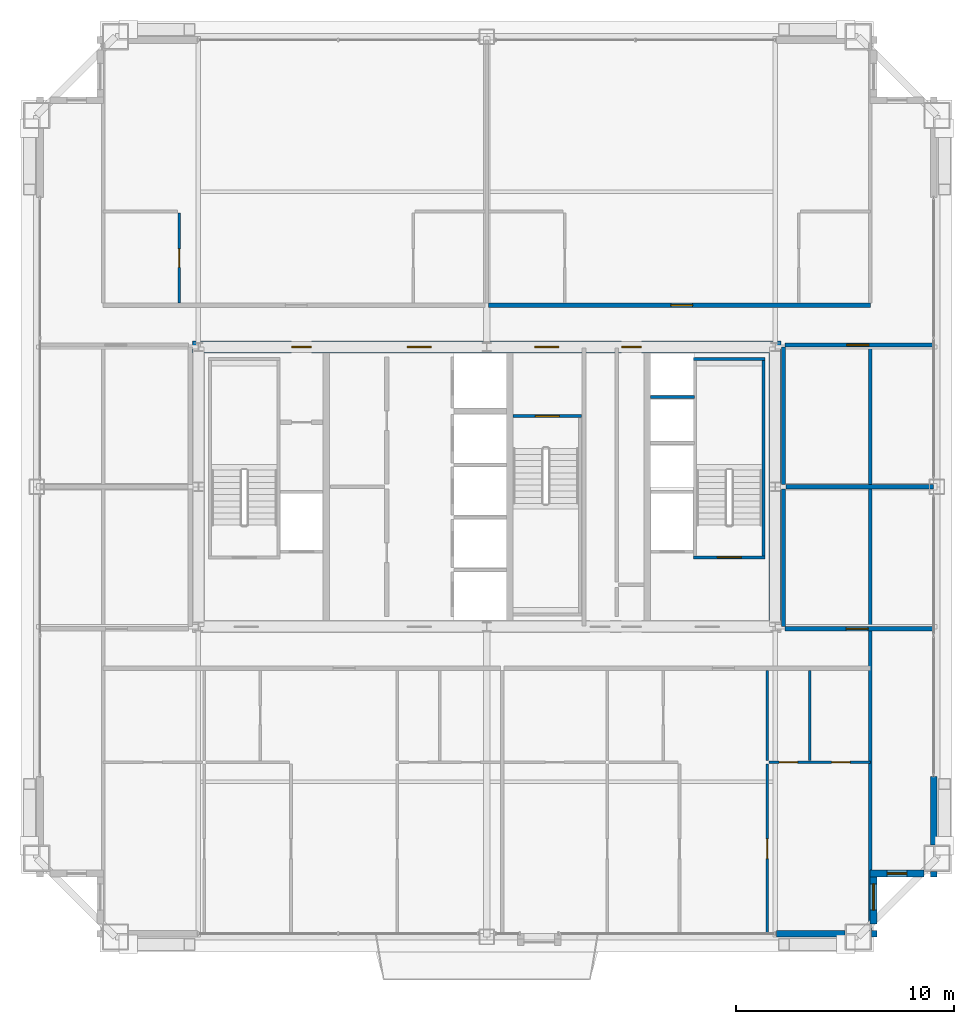
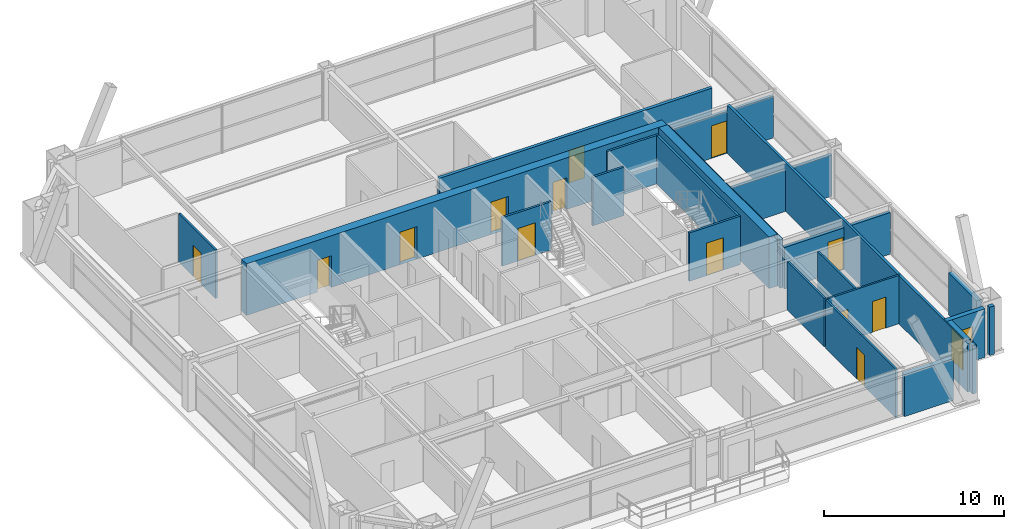
# One storey, part 33 of 35: 25 walls, 13 doors, 2 windows, 15 openings.
"""IFC4 building model written with IfcOpenShell, lengths in metres."""

from ifc_helpers import new_model, si_unit, direction, frame, frame_2d, origin, place, context, subcontext, project, spatial, rectangle, extrude, source, transform, mapped, material, layer, layer_set, type_object, element, fill, save


model = new_model("IFC4")

# Units and contexts
model_context = context("Model", 3, precision=1e-05, world=origin(), true_north=direction((0.0, 1.0)))
body_context = subcontext(model_context, "Body", "Model", "MODEL_VIEW")
ifc_project = project(units=[si_unit("LENGTHUNIT", "METRE"), si_unit("AREAUNIT", "SQUARE_METRE"), si_unit("VOLUMEUNIT", "CUBIC_METRE"), si_unit("PLANEANGLEUNIT", "RADIAN"), si_unit("MASSUNIT", "GRAM", prefix="KILO"), si_unit("THERMODYNAMICTEMPERATUREUNIT", "KELVIN"), si_unit("POWERUNIT", "WATT")], contexts=[model_context])

# Site, building, storey
site_placement = place(None, origin())
site = spatial("IfcSite", under=ifc_project, at=site_placement, CompositionType="ELEMENT")
building_placement = place(site_placement, origin())
building = spatial("IfcBuilding", under=site, at=building_placement, Name="Yuzanri Waterfront Tower", CompositionType="ELEMENT")
storey_placement = place(building_placement, frame((0.0, 0.0, 227.60009765625)))
storey = spatial("IfcBuildingStorey", under=building, at=storey_placement, Name="L60", CompositionType="ELEMENT", Elevation=227.60009765625)

# Wall, openings, doors
ifc_material_1 = material(Name="Moisture-Resistant Gypsum Stud Wall", Category="gypsum")
ifc_layer_1 = layer(ifc_material_1, 0.1201171875)
ifc_layer_set_1 = layer_set([ifc_layer_1], Name="Moisture-Resistant Gypsum Stud Wall")
wall_type_1 = type_object("IfcWallType", Name="Bathroom and Kitchen Wet Partition 120", PredefinedType="PARTITIONING", material=ifc_layer_set_1)
wall_1_placement = place(storey_placement, frame((49.9130859375, 13.199951171875, 0.0), z_axis=(0.0, 0.0, 1.0), x_axis=(1.0, 0.0, 0.0)))
wall_1 = element("IfcWall", 1, at=wall_1_placement, inside=storey, type_object=wall_type_1, Name="L60 Partition UW-L60-RS2-SUB-6-N", PredefinedType="PARTITIONING", context=body_context, shape_type="SweptSolid", body=[
    extrude(rectangle(XDim=4.64697265625, YDim=0.1201171875, at=frame_2d((2.323486328125, 0.0))), origin(), (0.0, 0.0, 1.0), 3.27978515625),
])
opening_1_placement = place(wall_1_placement, frame((2.8720703125, 0.0, 0.0)))
opening_1 = element("IfcOpeningElement", 2, at=opening_1_placement, cuts=wall_1, Name="Opening ID-0850", PredefinedType="OPENING", context=body_context, shape_type="SweptSolid", body=[
    extrude(rectangle(XDim=0.85009765625, YDim=2.10009765625, at=frame_2d((0.425048828125, 1.050048828125))), frame((0.0, 0.074951171875, 0.0), z_axis=(0.0, -1.0, 0.0), x_axis=(1.0, 0.0, 0.0)), (0.0, 0.0, 1.0), 0.14990234375),
])
opening_2_placement = place(wall_1_placement, frame((0.468505859375, 0.0, 0.0)))
opening_2 = element("IfcOpeningElement", 3, at=opening_2_placement, cuts=wall_1, Name="Opening ID-0850", PredefinedType="OPENING", context=body_context, shape_type="SweptSolid", body=[
    extrude(rectangle(XDim=0.85009765625, YDim=2.10009765625, at=frame_2d((0.425048828125, 1.050048828125))), frame((0.0, 0.074951171875, 0.0), z_axis=(0.0, -1.0, 0.0), x_axis=(1.0, 0.0, 0.0)), (0.0, 0.0, 1.0), 0.14990234375),
])
ifc_material_2 = material(Name="Moisture-Resistant Lacquered Timber", Category="wood")
door_type_1 = type_object("IfcDoorType", Name="En-Suite Bathroom and Kitchen Swing Door 850x2100", OperationType="NOTDEFINED", PredefinedType="DOOR", material=ifc_material_2)
shared_shape_1 = source(origin(), body_context, "Body", "SweptSolid", [
    extrude(rectangle(XDim=0.85009765625, YDim=2.10009765625, at=frame_2d((0.425048828125, 1.050048828125))), frame((0.0, 0.02490234375, 0.0), z_axis=(0.0, -1.0, 0.0), x_axis=(1.0, 0.0, 0.0)), (0.0, 0.0, 1.0), 0.050048828125),
])
door_1_placement = place(opening_1_placement, origin())
door_1 = element("IfcDoor", 4, at=door_1_placement, inside=storey, type_object=door_type_1, Name="L60 Suite Interior Room Door", OperationType="SINGLE_SWING_RIGHT", OverallHeight=2.10009765625, OverallWidth=0.85009765625, PredefinedType="DOOR", context=body_context, shape_type="MappedRepresentation", body=[
    mapped(shared_shape_1, transform((0.0, 0.0, 0.0), scale=1.0)),
])
fill(opening_1, door_1)
door_2_placement = place(opening_2_placement, origin())
door_2 = element("IfcDoor", 5, at=door_2_placement, inside=storey, type_object=door_type_1, Name="L60 Suite Interior Room Door", OperationType="SINGLE_SWING_LEFT", OverallHeight=2.10009765625, OverallWidth=0.85009765625, PredefinedType="DOOR", context=body_context, shape_type="MappedRepresentation", body=[
    mapped(shared_shape_1, transform((0.0, 0.0, 0.0), scale=1.0)),
])
fill(opening_2, door_2)

# Wall, opening, door
wall_2_placement = place(storey_placement, frame((49.8330078125, 5.35009765625, 0.0), z_axis=(0.0, 0.0, 1.0), x_axis=(0.0, 1.0, 0.0)))
wall_2 = element("IfcWall", 6, at=wall_2_placement, inside=storey, type_object=wall_type_1, Name="L60 Partition UW-L60-RS2-SUB-6-W", PredefinedType="PARTITIONING", context=body_context, shape_type="SweptSolid", body=[
    extrude(rectangle(XDim=7.77001953125, YDim=0.1201171875, at=frame_2d((3.885009765625, 0.0))), origin(), (0.0, 0.0, 1.0), 3.27978515625),
])
opening_3_placement = place(wall_2_placement, frame((3.43505859375, 0.0, 0.0)))
opening_3 = element("IfcOpeningElement", 7, at=opening_3_placement, cuts=wall_2, Name="Opening ID-0900", PredefinedType="OPENING", context=body_context, shape_type="SweptSolid", body=[
    extrude(rectangle(XDim=0.89990234375, YDim=2.14990234375, at=frame_2d((0.449951171875, 1.074951171875))), frame((0.0, 0.074951171875, 0.0), z_axis=(0.0, -1.0, 0.0), x_axis=(1.0, 0.0, 0.0)), (0.0, 0.0, 1.0), 0.14990234375),
])
ifc_material_3 = material(Name="Stained Walnut Veneer Timber", Category="wood")
door_type_2 = type_object("IfcDoorType", Name="Bedroom and Study Interior Swing Door 900x2150", OperationType="NOTDEFINED", PredefinedType="DOOR", material=ifc_material_3)
shared_shape_2 = source(origin(), body_context, "Body", "SweptSolid", [
    extrude(rectangle(XDim=0.89990234375, YDim=2.14990234375, at=frame_2d((0.449951171875, 1.074951171875))), frame((0.0, 0.02490234375, 0.0), z_axis=(0.0, -1.0, 0.0), x_axis=(1.0, 0.0, 0.0)), (0.0, 0.0, 1.0), 0.050048828125),
])
door_3_placement = place(opening_3_placement, origin())
door_3 = element("IfcDoor", 8, at=door_3_placement, inside=storey, type_object=door_type_2, Name="L60 Suite Interior Room Door", OperationType="SINGLE_SWING_LEFT", OverallHeight=2.14990234375, OverallWidth=0.89990234375, PredefinedType="DOOR", context=body_context, shape_type="MappedRepresentation", body=[
    mapped(shared_shape_2, transform((0.0, 0.0, 0.0), scale=1.0)),
])
fill(opening_3, door_3)

wall_3_placement = place(storey_placement, frame((22.919921875, 34.2099609375, 0.0), z_axis=(0.0, 0.0, 1.0), x_axis=(0.0, 1.0, 0.0)))
wall_3 = element("IfcWall", 9, at=wall_3_placement, inside=storey, type_object=wall_type_1, Name="L60 Partition UW-L60-RN1-SUB-1-E", PredefinedType="PARTITIONING", context=body_context, shape_type="SweptSolid", body=[
    extrude(rectangle(XDim=4.110107421875, YDim=0.1201171875, at=frame_2d((2.05517578125, 0.0))), origin(), (0.0, 0.0, 1.0), 3.27978515625),
])
opening_4_placement = place(wall_3_placement, frame((1.6298828125, 0.0, 0.0)))
opening_4 = element("IfcOpeningElement", 10, at=opening_4_placement, cuts=wall_3, Name="Opening ID-0850", PredefinedType="OPENING", context=body_context, shape_type="SweptSolid", body=[
    extrude(rectangle(XDim=0.85009765625, YDim=2.10009765625, at=frame_2d((0.425048828125, 1.050048828125))), frame((0.0, 0.074951171875, 0.0), z_axis=(0.0, -1.0, 0.0), x_axis=(1.0, 0.0, 0.0)), (0.0, 0.0, 1.0), 0.14990234375),
])
door_4_placement = place(opening_4_placement, origin())
door_4 = element("IfcDoor", 11, at=door_4_placement, inside=storey, type_object=door_type_1, Name="L60 Suite Interior Room Door", OperationType="SINGLE_SWING_RIGHT", OverallHeight=2.10009765625, OverallWidth=0.85009765625, PredefinedType="DOOR", context=body_context, shape_type="MappedRepresentation", body=[
    mapped(shared_shape_1, transform((0.0, 0.0, 0.0), scale=1.0)),
])
fill(opening_4, door_4)

# Wall, opening, window
ifc_material_4 = material(Name="Honed Chongqing Dark Basalt Stone", Category="masonry")
ifc_layer_2 = layer(ifc_material_4, 0.300048828125)
ifc_layer_set_2 = layer_set([ifc_layer_2], Name="Honed Chongqing Dark Basalt Stone")
wall_type_2 = type_object("IfcWallType", Name="Bronze Rainscreen Insulated Spandrel Portal Wall 300", PredefinedType="SOLIDWALL", material=ifc_layer_set_2)
wall_4_placement = place(storey_placement, frame((54.550048828125, 8.10009765625, 0.0), z_axis=(0.0, 0.0, 1.0), x_axis=(1.0, 0.0, 0.0)))
wall_4 = element("IfcWall", 12, at=wall_4_placement, inside=storey, type_object=wall_type_2, Name="L60 Notched Corner Masonry Wall SE-X", PredefinedType="SOLIDWALL", context=body_context, shape_type="SweptSolid", body=[
    extrude(rectangle(XDim=2.449951171875, YDim=0.300048828125, at=frame_2d((1.22509765625, 0.0))), origin(), (0.0, 0.0, 1.0), 3.27978515625),
])
opening_5_placement = place(wall_4_placement, frame((0.77490234375, 0.0, 0.85009765625)))
opening_5 = element("IfcOpeningElement", 13, at=opening_5_placement, cuts=wall_4, Name="Opening WN-05", PredefinedType="OPENING", context=body_context, shape_type="SweptSolid", body=[
    extrude(rectangle(XDim=0.89990234375, YDim=1.5, at=frame_2d((0.449951171875, 0.75))), frame((0.0, 0.1650390625, 0.0), z_axis=(0.0, -1.0, 0.0), x_axis=(1.0, 0.0, 0.0)), (0.0, 0.0, 1.0), 0.329833984375),
])
ifc_material_5 = material(Name="Double-Silver Low-E Insulated Glass", Category="glass")
window_type_1 = type_object("IfcWindowType", Name="Anodized Bronze Service and Stairwell Smoke-Vent Window 900x1500", PartitioningType="SINGLE_PANEL", PredefinedType="WINDOW", material=ifc_material_5)
shared_shape_3 = source(origin(), body_context, "Body", "SweptSolid", [
    extrude(rectangle(XDim=0.89990234375, YDim=1.5, at=frame_2d((0.449951171875, 0.75))), frame((0.0, 0.030029296875, 0.0), z_axis=(0.0, -1.0, 0.0), x_axis=(1.0, 0.0, 0.0)), (0.0, 0.0, 1.0), 0.06005859375),
])
window_1_placement = place(opening_5_placement, origin())
window_1 = element("IfcWindow", 14, at=window_1_placement, inside=storey, type_object=window_type_1, Name="L60 Notched Corner Window SE-X", OverallHeight=1.5, OverallWidth=0.89990234375, PartitioningType="SINGLE_PANEL", PredefinedType="WINDOW", context=body_context, shape_type="MappedRepresentation", body=[
    mapped(shared_shape_3, transform((0.0, 0.0, 0.0), scale=1.0)),
])
fill(opening_5, window_1)

wall_5_placement = place(storey_placement, frame((54.699951171875, 5.800048828125, 0.0), z_axis=(0.0, 0.0, 1.0), x_axis=(0.0, 1.0, 0.0)))
wall_5 = element("IfcWall", 15, at=wall_5_placement, inside=storey, type_object=wall_type_2, Name="L60 Notched Corner Masonry Wall SE-Y", PredefinedType="SOLIDWALL", context=body_context, shape_type="SweptSolid", body=[
    extrude(rectangle(XDim=2.449951171875, YDim=0.300048828125, at=frame_2d((1.22509765625, 0.0))), origin(), (0.0, 0.0, 1.0), 3.27978515625),
])
opening_6_placement = place(wall_5_placement, frame((0.625, 0.0, 0.85009765625)))
opening_6 = element("IfcOpeningElement", 16, at=opening_6_placement, cuts=wall_5, Name="Opening WN-02", PredefinedType="OPENING", context=body_context, shape_type="SweptSolid", body=[
    extrude(rectangle(XDim=1.199951171875, YDim=2.10009765625, at=frame_2d((0.60009765625, 1.050048828125))), frame((0.0, 0.1650390625, 0.0), z_axis=(0.0, -1.0, 0.0), x_axis=(1.0, 0.0, 0.0)), (0.0, 0.0, 1.0), 0.329833984375),
])
ifc_material_6 = material(Name="Double-Silver Low-E Insulated Glass", Category="glass")
window_type_2 = type_object("IfcWindowType", Name="Anodized Bronze Notched Corner Deep-Set Slot Window 1200x2100", PartitioningType="SINGLE_PANEL", PredefinedType="WINDOW", material=ifc_material_6)
shared_shape_4 = source(origin(), body_context, "Body", "SweptSolid", [
    extrude(rectangle(XDim=1.199951171875, YDim=2.10009765625, at=frame_2d((0.60009765625, 1.050048828125))), frame((0.0, 0.030029296875, 0.0), z_axis=(0.0, -1.0, 0.0), x_axis=(1.0, 0.0, 0.0)), (0.0, 0.0, 1.0), 0.06005859375),
])
window_2_placement = place(opening_6_placement, origin())
window_2 = element("IfcWindow", 17, at=window_2_placement, inside=storey, type_object=window_type_2, Name="L60 Notched Corner Window SE-Y", OverallHeight=2.10009765625, OverallWidth=1.199951171875, PartitioningType="SINGLE_PANEL", PredefinedType="WINDOW", context=body_context, shape_type="MappedRepresentation", body=[
    mapped(shared_shape_4, transform((0.0, 0.0, 0.0), scale=1.0)),
])
fill(opening_6, window_2)

# Wall, openings, doors
ifc_material_7 = material(Name="Concrete C50", Category="concrete")
ifc_layer_3 = layer(ifc_material_7, 0.550048828125)
ifc_layer_set_3 = layer_set([ifc_layer_3], Name="Concrete C50")
wall_type_3 = type_object("IfcWallType", Name="Concrete C50 Upper-Mid Zone Core Shear Wall 550", PredefinedType="SHEAR", material=ifc_layer_set_3)
wall_6_placement = place(storey_placement, frame((23.52490234375, 32.199951171875, 0.0), z_axis=(0.0, 0.0, 1.0), x_axis=(1.0, 0.0, 0.0)))
wall_6 = element("IfcWall", 18, at=wall_6_placement, inside=storey, type_object=wall_type_3, Name="L60 Core North Shear Wall", PredefinedType="SHEAR", context=body_context, shape_type="SweptSolid", body=[
    extrude(rectangle(XDim=26.9501953125, YDim=0.550048828125, at=frame_2d((13.47509765625, 0.0))), origin(), (0.0, 0.0, 1.0), 3.5),
])
opening_7_placement = place(wall_6_placement, frame((4.544921875, 0.0, 0.0)))
opening_7 = element("IfcOpeningElement", 19, at=opening_7_placement, cuts=wall_6, Name="Opening FD-0900", PredefinedType="OPENING", context=body_context, shape_type="SweptSolid", body=[
    extrude(rectangle(XDim=0.89990234375, YDim=2.14990234375, at=frame_2d((0.449951171875, 1.074951171875))), frame((0.0, 0.2900390625, 0.0), z_axis=(0.0, -1.0, 0.0), x_axis=(1.0, 0.0, 0.0)), (0.0, 0.0, 1.0), 0.579833984375),
])
opening_8_placement = place(wall_6_placement, frame((9.824951171875, 0.0, 0.0)))
opening_8 = element("IfcOpeningElement", 20, at=opening_8_placement, cuts=wall_6, Name="Opening FD-1100", PredefinedType="OPENING", context=body_context, shape_type="SweptSolid", body=[
    extrude(rectangle(XDim=1.10009765625, YDim=2.199951171875, at=frame_2d((0.550048828125, 1.10009765625))), frame((0.0, 0.2900390625, 0.0), z_axis=(0.0, -1.0, 0.0), x_axis=(1.0, 0.0, 0.0)), (0.0, 0.0, 1.0), 0.579833984375),
])
opening_9_placement = place(wall_6_placement, frame((15.675048828125, 0.0, 0.0)))
opening_9 = element("IfcOpeningElement", 21, at=opening_9_placement, cuts=wall_6, Name="Opening FD-1100", PredefinedType="OPENING", context=body_context, shape_type="SweptSolid", body=[
    extrude(rectangle(XDim=1.10009765625, YDim=2.199951171875, at=frame_2d((0.550048828125, 1.10009765625))), frame((0.0, 0.2900390625, 0.0), z_axis=(0.0, -1.0, 0.0), x_axis=(1.0, 0.0, 0.0)), (0.0, 0.0, 1.0), 0.579833984375),
])
opening_10_placement = place(wall_6_placement, frame((19.64501953125, 0.0, 0.0)))
opening_10 = element("IfcOpeningElement", 22, at=opening_10_placement, cuts=wall_6, Name="Opening FD-0900", PredefinedType="OPENING", context=body_context, shape_type="SweptSolid", body=[
    extrude(rectangle(XDim=0.89990234375, YDim=2.14990234375, at=frame_2d((0.449951171875, 1.074951171875))), frame((0.0, 0.2900390625, 0.0), z_axis=(0.0, -1.0, 0.0), x_axis=(1.0, 0.0, 0.0)), (0.0, 0.0, 1.0), 0.579833984375),
])
ifc_material_8 = material(Name="Painted Galvanized Fire Steel", Category="steel")
door_type_3 = type_object("IfcDoorType", Name="Smoke-Proof Stair and Lobby Fire Door 1100x2200", OperationType="NOTDEFINED", PredefinedType="DOOR", material=ifc_material_8)
shared_shape_5 = source(origin(), body_context, "Body", "SweptSolid", [
    extrude(rectangle(XDim=1.10009765625, YDim=2.199951171875, at=frame_2d((0.550048828125, 1.10009765625))), frame((0.0, 0.02490234375, 0.0), z_axis=(0.0, -1.0, 0.0), x_axis=(1.0, 0.0, 0.0)), (0.0, 0.0, 1.0), 0.050048828125),
])
door_5_placement = place(opening_8_placement, origin())
door_5 = element("IfcDoor", 23, at=door_5_placement, inside=storey, type_object=door_type_3, Name="L60 Central Lift Lobby North Door", OperationType="SINGLE_SWING_LEFT", OverallHeight=2.199951171875, OverallWidth=1.10009765625, PredefinedType="DOOR", context=body_context, shape_type="MappedRepresentation", body=[
    mapped(shared_shape_5, transform((0.0, 0.0, 0.0), scale=1.0)),
])
fill(opening_8, door_5)
door_6_placement = place(opening_9_placement, origin())
door_6 = element("IfcDoor", 24, at=door_6_placement, inside=storey, type_object=door_type_3, Name="L60 North Stair Lobby Door", OperationType="SINGLE_SWING_RIGHT", OverallHeight=2.199951171875, OverallWidth=1.10009765625, PredefinedType="DOOR", context=body_context, shape_type="MappedRepresentation", body=[
    mapped(shared_shape_5, transform((0.0, 0.0, 0.0), scale=1.0)),
])
fill(opening_9, door_6)
ifc_material_9 = material(Name="Painted Galvanized Fire Steel", Category="steel")
door_type_4 = type_object("IfcDoorType", Name="Riser and Service Room Fire Door 900x2150", OperationType="NOTDEFINED", PredefinedType="DOOR", material=ifc_material_9)
shared_shape_6 = source(origin(), body_context, "Body", "SweptSolid", [
    extrude(rectangle(XDim=0.89990234375, YDim=2.14990234375, at=frame_2d((0.449951171875, 1.074951171875))), frame((0.0, 0.02490234375, 0.0), z_axis=(0.0, -1.0, 0.0), x_axis=(1.0, 0.0, 0.0)), (0.0, 0.0, 1.0), 0.050048828125),
])
door_7_placement = place(opening_7_placement, origin())
door_7 = element("IfcDoor", 25, at=door_7_placement, inside=storey, type_object=door_type_4, Name="L60 Telecom Riser Door", OperationType="SINGLE_SWING_RIGHT", OverallHeight=2.14990234375, OverallWidth=0.89990234375, PredefinedType="DOOR", context=body_context, shape_type="MappedRepresentation", body=[
    mapped(shared_shape_6, transform((0.0, 0.0, 0.0), scale=1.0)),
])
fill(opening_7, door_7)
door_8_placement = place(opening_10_placement, origin())
door_8 = element("IfcDoor", 26, at=door_8_placement, inside=storey, type_object=door_type_4, Name="L60 Linen Store Room", OperationType="SINGLE_SWING_RIGHT", OverallHeight=2.14990234375, OverallWidth=0.89990234375, PredefinedType="DOOR", context=body_context, shape_type="MappedRepresentation", body=[
    mapped(shared_shape_6, transform((0.0, 0.0, 0.0), scale=1.0)),
])
fill(opening_10, door_8)

# Wall, opening, door
ifc_material_10 = material(Name="Concrete C40", Category="concrete")
ifc_layer_4 = layer(ifc_material_10, 0.139892578125)
ifc_layer_set_4 = layer_set([ifc_layer_4], Name="Concrete C40")
wall_type_4 = type_object("IfcWallType", Name="Core Stair Liner and Hoistway Shaft Wall 140", PredefinedType="SOLIDWALL", material=ifc_layer_set_4)
wall_7_placement = place(storey_placement, frame((46.4599609375, 22.570068359375, 0.0), z_axis=(0.0, 0.0, 1.0), x_axis=(1.0, 0.0, 0.0)))
wall_7 = element("IfcWall", 27, at=wall_7_placement, inside=storey, type_object=wall_type_4, Name="L60 Shaft Wall STW-L60-ST-02-S", PredefinedType="SOLIDWALL", context=body_context, shape_type="SweptSolid", body=[
    extrude(rectangle(XDim=3.280029296875, YDim=0.139892578125, at=frame_2d((1.64013671875, 0.0))), origin(), (0.0, 0.0, 1.0), 3.27978515625),
])
opening_11_placement = place(wall_7_placement, frame((1.090087890625, 0.0, 0.0)))
opening_11 = element("IfcOpeningElement", 28, at=opening_11_placement, cuts=wall_7, Name="Opening FD-1100", PredefinedType="OPENING", context=body_context, shape_type="SweptSolid", body=[
    extrude(rectangle(XDim=1.10009765625, YDim=2.199951171875, at=frame_2d((0.550048828125, 1.10009765625))), frame((0.0, 0.0849609375, 0.0), z_axis=(0.0, -1.0, 0.0), x_axis=(1.0, 0.0, 0.0)), (0.0, 0.0, 1.0), 0.169677734375),
])
door_9_placement = place(opening_11_placement, origin())
door_9 = element("IfcDoor", 29, at=door_9_placement, inside=storey, type_object=door_type_3, Name="L60 Stair ST-02 Fire Door", OperationType="SINGLE_SWING_LEFT", OverallHeight=2.199951171875, OverallWidth=1.10009765625, PredefinedType="DOOR", context=body_context, shape_type="MappedRepresentation", body=[
    mapped(shared_shape_5, transform((0.0, 0.0, 0.0), scale=1.0)),
])
fill(opening_11, door_9)

wall_8_placement = place(storey_placement, frame((38.199951171875, 29.030029296875, 0.0), z_axis=(0.0, 0.0, 1.0), x_axis=(1.0, 0.0, 0.0)))
wall_8 = element("IfcWall", 30, at=wall_8_placement, inside=storey, type_object=wall_type_4, Name="L60 Shaft Wall STW-L60-ST-03-N", PredefinedType="SOLIDWALL", context=body_context, shape_type="SweptSolid", body=[
    extrude(rectangle(XDim=3.14013671875, YDim=0.139892578125, at=frame_2d((1.570068359375, 0.0))), origin(), (0.0, 0.0, 1.0), 3.27978515625),
])
opening_12_placement = place(wall_8_placement, frame((1.02001953125, 0.0, 0.0)))
opening_12 = element("IfcOpeningElement", 31, at=opening_12_placement, cuts=wall_8, Name="Opening FD-1100", PredefinedType="OPENING", context=body_context, shape_type="SweptSolid", body=[
    extrude(rectangle(XDim=1.10009765625, YDim=2.199951171875, at=frame_2d((0.550048828125, 1.10009765625))), frame((0.0, 0.0849609375, 0.0), z_axis=(0.0, -1.0, 0.0), x_axis=(1.0, 0.0, 0.0)), (0.0, 0.0, 1.0), 0.169677734375),
])
door_10_placement = place(opening_12_placement, origin())
door_10 = element("IfcDoor", 32, at=door_10_placement, inside=storey, type_object=door_type_3, Name="L60 Stair ST-03 Fire Door", OperationType="SINGLE_SWING_RIGHT", OverallHeight=2.199951171875, OverallWidth=1.10009765625, PredefinedType="DOOR", context=body_context, shape_type="MappedRepresentation", body=[
    mapped(shared_shape_5, transform((0.0, 0.0, 0.0), scale=1.0)),
])
fill(opening_12, door_10)

ifc_material_11 = material(Name="Autoclaved Aerated Concrete Blockwork", Category="masonry")
ifc_layer_5 = layer(ifc_material_11, 0.199951171875)
ifc_layer_set_5 = layer_set([ifc_layer_5], Name="Autoclaved Aerated Concrete Blockwork")
wall_type_5 = type_object("IfcWallType", Name="Corridor and Unit Party Fire Wall 200", PredefinedType="PARTITIONING", material=ifc_layer_set_5)
wall_9_placement = place(storey_placement, frame((37.080078125, 34.110107421875, 0.0), z_axis=(0.0, 0.0, 1.0), x_axis=(1.0, 0.0, 0.0)))
wall_9 = element("IfcWall", 33, at=wall_9_placement, inside=storey, type_object=wall_type_5, Name="L60 Partition UW-L60-RN2-CS", PredefinedType="PARTITIONING", context=body_context, shape_type="SweptSolid", body=[
    extrude(rectangle(XDim=17.47998046875, YDim=0.199951171875, at=frame_2d((8.739990234375, 0.0))), origin(), (0.0, 0.0, 1.0), 3.27978515625),
])
opening_13_placement = place(wall_9_placement, frame((8.340087890625, 0.0, 0.0)))
opening_13 = element("IfcOpeningElement", 34, at=opening_13_placement, cuts=wall_9, Name="Opening FD-1000", PredefinedType="OPENING", context=body_context, shape_type="SweptSolid", body=[
    extrude(rectangle(XDim=1.0, YDim=2.199951171875, at=frame_2d((0.5, 1.10009765625))), frame((0.0, 0.11474609375, 0.0), z_axis=(0.0, -1.0, 0.0), x_axis=(1.0, 0.0, 0.0)), (0.0, 0.0, 1.0), 0.229736328125),
])
ifc_material_12 = material(Name="Engineered Oak Fire-Rated Timber", Category="wood")
door_type_5 = type_object("IfcDoorType", Name="Guestroom and Apartment Entrance Fire Door 1000x2200", OperationType="NOTDEFINED", PredefinedType="DOOR", material=ifc_material_12)
shared_shape_7 = source(origin(), body_context, "Body", "SweptSolid", [
    extrude(rectangle(XDim=1.0, YDim=2.199951171875, at=frame_2d((0.5, 1.10009765625))), frame((0.0, 0.02490234375, 0.0), z_axis=(0.0, -1.0, 0.0), x_axis=(1.0, 0.0, 0.0)), (0.0, 0.0, 1.0), 0.050048828125),
])
door_11_placement = place(opening_13_placement, origin())
door_11 = element("IfcDoor", 35, at=door_11_placement, inside=storey, type_object=door_type_5, Name="L60 Studio Living and Sleeping Room Entrance Door", OperationType="SINGLE_SWING_RIGHT", OverallHeight=2.199951171875, OverallWidth=1.0, PredefinedType="DOOR", context=body_context, shape_type="MappedRepresentation", body=[
    mapped(shared_shape_7, transform((0.0, 0.0, 0.0), scale=1.0)),
])
fill(opening_13, door_11)

wall_10_placement = place(storey_placement, frame((50.64990234375, 19.31005859375, 0.0), z_axis=(0.0, 0.0, 1.0), x_axis=(1.0, 0.0, 0.0)))
wall_10 = element("IfcWall", 36, at=wall_10_placement, inside=storey, type_object=wall_type_5, Name="L60 Partition UW-L60-041-CS", PredefinedType="PARTITIONING", context=body_context, shape_type="SweptSolid", body=[
    extrude(rectangle(XDim=6.800048828125, YDim=0.199951171875, at=frame_2d((3.39990234375, 0.0))), origin(), (0.0, 0.0, 1.0), 2.824951171875),
])
opening_14_placement = place(wall_10_placement, frame((2.800048828125, 0.0, 0.0)))
opening_14 = element("IfcOpeningElement", 37, at=opening_14_placement, cuts=wall_10, Name="Opening FD-1000", PredefinedType="OPENING", context=body_context, shape_type="SweptSolid", body=[
    extrude(rectangle(XDim=1.0, YDim=2.199951171875, at=frame_2d((0.5, 1.10009765625))), frame((0.0, 0.11474609375, 0.0), z_axis=(0.0, -1.0, 0.0), x_axis=(1.0, 0.0, 0.0)), (0.0, 0.0, 1.0), 0.229736328125),
])
door_12_placement = place(opening_14_placement, origin())
door_12 = element("IfcDoor", 38, at=door_12_placement, inside=storey, type_object=door_type_5, Name="L60 Residents E Boardroom Meeting Room Entrance Door", OperationType="SINGLE_SWING_LEFT", OverallHeight=2.199951171875, OverallWidth=1.0, PredefinedType="DOOR", context=body_context, shape_type="MappedRepresentation", body=[
    mapped(shared_shape_7, transform((0.0, 0.0, 0.0), scale=1.0)),
])
fill(opening_14, door_12)

wall_11_placement = place(storey_placement, frame((50.64990234375, 32.2900390625, 0.0), z_axis=(0.0, 0.0, 1.0), x_axis=(1.0, 0.0, 0.0)))
wall_11 = element("IfcWall", 39, at=wall_11_placement, inside=storey, type_object=wall_type_5, Name="L60 Partition UW-L60-042-CN", PredefinedType="PARTITIONING", context=body_context, shape_type="SweptSolid", body=[
    extrude(rectangle(XDim=6.800048828125, YDim=0.199951171875, at=frame_2d((3.39990234375, 0.0))), origin(), (0.0, 0.0, 1.0), 2.824951171875),
])
opening_15_placement = place(wall_11_placement, frame((2.8349609375, 0.0, 0.0)))
opening_15 = element("IfcOpeningElement", 40, at=opening_15_placement, cuts=wall_11, Name="Opening FD-1000", PredefinedType="OPENING", context=body_context, shape_type="SweptSolid", body=[
    extrude(rectangle(XDim=1.0, YDim=2.199951171875, at=frame_2d((0.5, 1.10009765625))), frame((0.0, 0.11474609375, 0.0), z_axis=(0.0, -1.0, 0.0), x_axis=(1.0, 0.0, 0.0)), (0.0, 0.0, 1.0), 0.229736328125),
])
door_13_placement = place(opening_15_placement, origin())
door_13 = element("IfcDoor", 41, at=door_13_placement, inside=storey, type_object=door_type_5, Name="L60 Residents E Seminar Meeting Room Entrance Door", OperationType="SINGLE_SWING_RIGHT", OverallHeight=2.199951171875, OverallWidth=1.0, PredefinedType="DOOR", context=body_context, shape_type="MappedRepresentation", body=[
    mapped(shared_shape_7, transform((0.0, 0.0, 0.0), scale=1.0)),
])
fill(opening_15, door_13)

# Walls
shared_shape_8 = source(origin(), body_context, "Body", "SweptSolid", [
    extrude(rectangle(XDim=12.25, YDim=0.550048828125, at=frame_2d((6.125, 0.0))), origin(), (0.0, 0.0, 1.0), 3.5),
])
wall_12_placement = place(storey_placement, frame((50.199951171875, 19.675048828125, 0.0), z_axis=(0.0, 0.0, 1.0), x_axis=(0.0, 1.0, 0.0)))
element("IfcWall", 42, at=wall_12_placement, inside=storey, type_object=wall_type_3, Name="L60 Core East Shear Wall", PredefinedType="SHEAR", context=body_context, shape_type="MappedRepresentation", body=[
    mapped(shared_shape_8, transform((0.0, 0.0, 0.0), scale=1.0)),
])
shared_shape_9 = source(origin(), body_context, "Body", "SweptSolid", [
    extrude(rectangle(XDim=0.25, YDim=0.300048828125, at=frame_2d((0.125, 0.0))), origin(), (0.0, 0.0, 1.0), 3.27978515625),
])
for number, where, z_axis, x_axis, name in (
    (43, (54.60009765625, 5.35009765625, 0.0), (0.0, 0.0, 1.0), (1.0, 0.0, 0.0), "L60 Corner Column Shoulder Return CSE"),
    (44, (57.449951171875, 7.949951171875, 0.0), (0.0, 0.0, 1.0), (0.0, 1.0, 0.0), "L60 Corner Column Shoulder Return CES"),
):
    element("IfcWall", number, at=place(storey_placement, frame(where, z_axis=z_axis, x_axis=x_axis)), inside=storey, type_object=wall_type_2, Name=name, PredefinedType="SOLIDWALL", context=body_context, shape_type="MappedRepresentation", body=[
        mapped(shared_shape_9, transform((0.0, 0.0, 0.0), scale=1.0)),
    ])
shared_shape_10 = source(origin(), body_context, "Body", "SweptSolid", [
    extrude(rectangle(XDim=3.14990234375, YDim=0.300048828125, at=frame_2d((1.574951171875, 0.0))), origin(), (0.0, 0.0, 1.0), 2.8349609375),
])
wall_13_placement = place(storey_placement, frame((50.25, 5.35009765625, 0.0), z_axis=(0.0, 0.0, 1.0), x_axis=(1.0, 0.0, 0.0)))
element("IfcWall", 45, at=wall_13_placement, inside=storey, type_object=wall_type_2, Name="L60 S Right Braced Masonry Shoulder", PredefinedType="SOLIDWALL", context=body_context, shape_type="MappedRepresentation", body=[
    mapped(shared_shape_10, transform((0.0, 0.0, 0.0), scale=1.0)),
])
shared_shape_11 = source(origin(), body_context, "Body", "SweptSolid", [
    extrude(rectangle(XDim=3.150146484375, YDim=0.300048828125, at=frame_2d((1.5751953125, 0.0))), origin(), (0.0, 0.0, 1.0), 2.8349609375),
])
wall_14_placement = place(storey_placement, frame((57.449951171875, 9.39990234375, 0.0), z_axis=(0.0, 0.0, 1.0), x_axis=(0.0, 1.0, 0.0)))
element("IfcWall", 46, at=wall_14_placement, inside=storey, type_object=wall_type_2, Name="L60 E Left Braced Masonry Shoulder", PredefinedType="SOLIDWALL", context=body_context, shape_type="MappedRepresentation", body=[
    mapped(shared_shape_11, transform((0.0, 0.0, 0.0), scale=1.0)),
])
shared_shape_12 = source(origin(), body_context, "Body", "SweptSolid", [
    extrude(rectangle(XDim=2.0, YDim=0.139892578125, at=frame_2d((1.0, 0.0))), origin(), (0.0, 0.0, 1.0), 3.27978515625),
])
wall_15_placement = place(storey_placement, frame((44.5, 29.89990234375, 0.0), z_axis=(0.0, 0.0, 1.0), x_axis=(1.0, 0.0, 0.0)))
element("IfcWall", 47, at=wall_15_placement, inside=storey, type_object=wall_type_4, Name="L60 Lift PL-10 Divider Wall", PredefinedType="SOLIDWALL", context=body_context, shape_type="MappedRepresentation", body=[
    mapped(shared_shape_12, transform((0.0, 0.0, 0.0), scale=1.0)),
])
shared_shape_13 = source(origin(), body_context, "Body", "SweptSolid", [
    extrude(rectangle(XDim=3.280029296875, YDim=0.139892578125, at=frame_2d((1.64013671875, 0.0))), origin(), (0.0, 0.0, 1.0), 3.27978515625),
])
wall_16_placement = place(storey_placement, frame((46.4599609375, 31.64990234375, 0.0), z_axis=(0.0, 0.0, 1.0), x_axis=(1.0, 0.0, 0.0)))
element("IfcWall", 48, at=wall_16_placement, inside=storey, type_object=wall_type_4, Name="L60 Stair ST-02 North Shaft Wall", PredefinedType="SOLIDWALL", context=body_context, shape_type="MappedRepresentation", body=[
    mapped(shared_shape_13, transform((0.0, 0.0, 0.0), scale=1.0)),
])
shared_shape_14 = source(origin(), body_context, "Body", "SweptSolid", [
    extrude(rectangle(XDim=8.940185546875, YDim=0.139892578125, at=frame_2d((4.47021484375, 0.0))), origin(), (0.0, 0.0, 1.0), 3.27978515625),
])
wall_17_placement = place(storey_placement, frame((49.669921875, 22.639892578125, 0.0), z_axis=(0.0, 0.0, 1.0), x_axis=(0.0, 1.0, 0.0)))
element("IfcWall", 49, at=wall_17_placement, inside=storey, type_object=wall_type_4, Name="L60 Stair ST-02 East Shaft Wall", PredefinedType="SOLIDWALL", context=body_context, shape_type="MappedRepresentation", body=[
    mapped(shared_shape_14, transform((0.0, 0.0, 0.0), scale=1.0)),
])
shared_shape_15 = source(origin(), body_context, "Body", "SweptSolid", [
    extrude(rectangle(XDim=4.10986328125, YDim=0.1201171875, at=frame_2d((2.054931640625, 0.0))), origin(), (0.0, 0.0, 1.0), 3.27978515625),
])
for number, where, z_axis, x_axis, name in (
    (50, (51.780029296875, 13.280029296875, 0.0), (0.0, 0.0, 1.0), (0.0, 1.0, 0.0), "L60 Partition UW-L60-RS2-SUB-3-W"),
    (51, (49.8330078125, 13.280029296875, 0.0), (0.0, 0.0, 1.0), (0.0, 1.0, 0.0), "L60 Partition UW-L60-RS2-SUB-4-W"),
):
    element("IfcWall", number, at=place(storey_placement, frame(where, z_axis=z_axis, x_axis=x_axis)), inside=storey, type_object=wall_type_1, Name=name, PredefinedType="PARTITIONING", context=body_context, shape_type="MappedRepresentation", body=[
        mapped(shared_shape_15, transform((0.0, 0.0, 0.0), scale=1.0)),
    ])
shared_shape_16 = source(origin(), body_context, "Body", "SweptSolid", [
    extrude(rectangle(XDim=6.764892578125, YDim=0.199951171875, at=frame_2d((3.38232421875, 0.0))), origin(), (0.0, 0.0, 1.0), 2.786865234375),
])
wall_18_placement = place(storey_placement, frame((50.68505859375, 25.800048828125, 0.0), z_axis=(0.0, 0.0, 1.0), x_axis=(1.0, 0.0, 0.0)))
element("IfcWall", 52, at=wall_18_placement, inside=storey, type_object=wall_type_5, Name="L60-041 Wing North Wall", PredefinedType="PARTITIONING", context=body_context, shape_type="MappedRepresentation", body=[
    mapped(shared_shape_16, transform((0.0, 0.0, 0.0), scale=1.0)),
])
shared_shape_17 = source(origin(), body_context, "Body", "SweptSolid", [
    extrude(rectangle(XDim=6.2900390625, YDim=0.199951171875, at=frame_2d((3.14501953125, 0.0))), origin(), (0.0, 0.0, 1.0), 3.27978515625),
])
for number, where, z_axis, x_axis, name in (
    (53, (50.580078125, 19.409912109375, 0.0), (0.0, 0.0, 1.0), (0.0, 1.0, 0.0), "L60-041 Wing Inner Core-Side Wall"),
    (54, (50.580078125, 25.89990234375, 0.0), (0.0, 0.0, 1.0), (0.0, 1.0, 0.0), "L60-042 Wing Inner Core-Side Wall"),
):
    element("IfcWall", number, at=place(storey_placement, frame(where, z_axis=z_axis, x_axis=x_axis)), inside=storey, type_object=wall_type_5, Name=name, PredefinedType="PARTITIONING", context=body_context, shape_type="MappedRepresentation", body=[
        mapped(shared_shape_17, transform((0.0, 0.0, 0.0), scale=1.0)),
    ])
ifc_material_13 = material(Name="Gypsum Fireboard Acoustic Stud Wall", Category="gypsum")
ifc_layer_6 = layer(ifc_material_13, 0.159912109375)
ifc_layer_set_6 = layer_set([ifc_layer_6], Name="Gypsum Fireboard Acoustic Stud Wall")
wall_type_6 = type_object("IfcWallType", Name="Acoustic Suite Demising Partition 160", PredefinedType="PARTITIONING", material=ifc_layer_set_6)
shared_shape_18 = source(origin(), body_context, "Body", "SweptSolid", [
    extrude(rectangle(XDim=26.68994140625, YDim=0.159912109375, at=frame_2d((13.344970703125, 0.0))), origin(), (0.0, 0.0, 1.0), 3.27978515625),
])
wall_19_placement = place(storey_placement, frame((54.550048828125, 5.5, 0.0), z_axis=(0.0, 0.0, 1.0), x_axis=(0.0, 1.0, 0.0)))
element("IfcWall", 55, at=wall_19_placement, inside=storey, type_object=wall_type_6, Name="L60 South Band East End Wall", PredefinedType="PARTITIONING", context=body_context, shape_type="MappedRepresentation", body=[
    mapped(shared_shape_18, transform((0.0, 0.0, 0.0), scale=1.0)),
])

save(model, "model.ifc")
